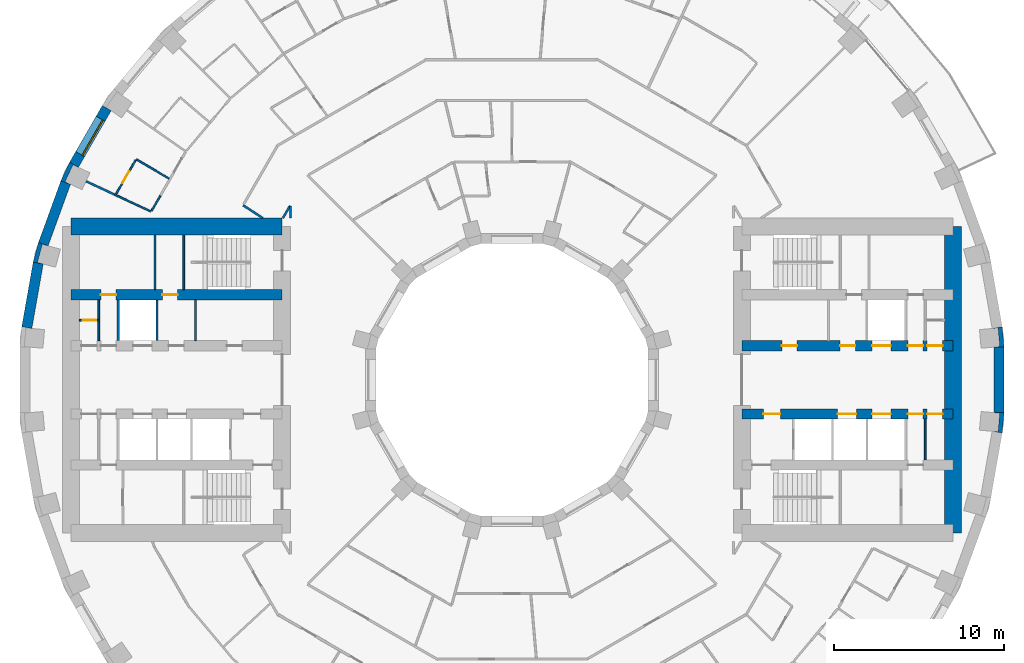
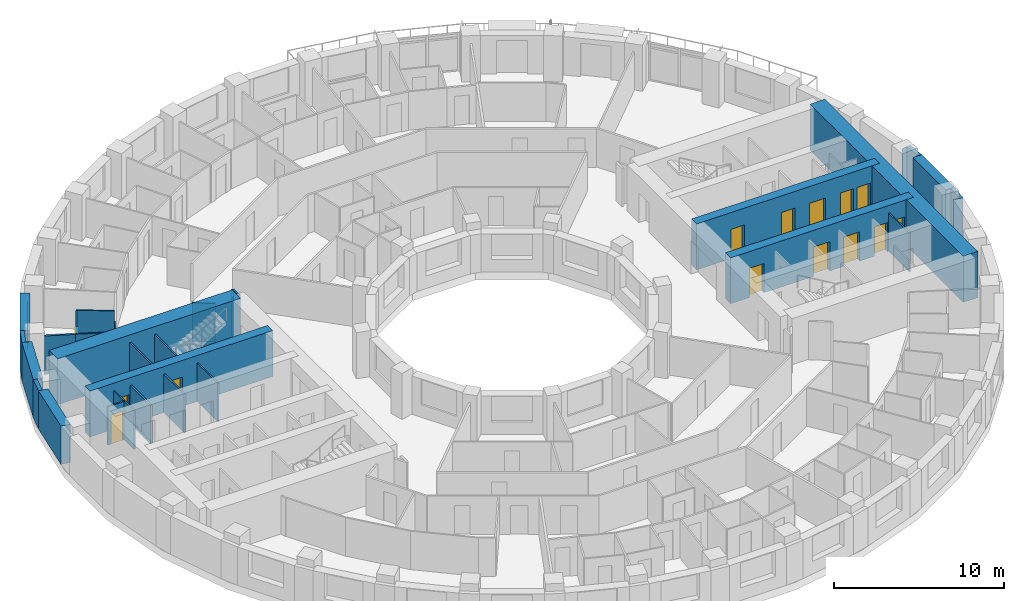
# One storey, part 9 of 15: 29 walls, 14 doors, 1 window, 15 openings.
"""IFC4 building model written with IfcOpenShell, lengths in metres."""

from ifc_helpers import new_model, si_unit, direction, frame, frame_2d, origin, place, context, subcontext, project, spatial, polyline, rectangle, outline, extrude, material, layer, layer_set, type_object, element, fill, save


model = new_model("IFC4")

# Units and contexts
model_context = context("Model", 3, precision=1e-05, world=origin(), true_north=direction((0.0, 1.0)))
body_context = subcontext(model_context, "Body", "Model", "MODEL_VIEW")
ifc_project = project(units=[si_unit("LENGTHUNIT", "METRE"), si_unit("AREAUNIT", "SQUARE_METRE"), si_unit("VOLUMEUNIT", "CUBIC_METRE"), si_unit("PLANEANGLEUNIT", "RADIAN"), si_unit("MASSUNIT", "GRAM", prefix="KILO")], contexts=[model_context])

# Site, building, storey
site_placement = place(None, origin())
site = spatial("IfcSite", under=ifc_project, at=site_placement, CompositionType="ELEMENT")
building_placement = place(site_placement, origin())
building = spatial("IfcBuilding", under=site, at=building_placement, Name="Saqina Gate Tower", CompositionType="ELEMENT")
storey_placement = place(building_placement, frame((0.0, 0.0, 65.89990234375)))
storey = spatial("IfcBuildingStorey", under=building, at=storey_placement, Name="L18", CompositionType="ELEMENT", Elevation=65.89990234375)

# Walls
ifc_material_1 = material(Name="Brick masonry (red)", Category="masonry")
wall_type_1 = type_object("IfcWallType", Name="BRICK PIER COPING RED", PredefinedType="SOLIDWALL", material=ifc_material_1)
wall_1_placement = place(storey_placement, origin())
element("IfcWall", 1, at=wall_1_placement, inside=storey, type_object=wall_type_1, Name="Pier cap L18 column 1", PredefinedType="SOLIDWALL", context=body_context, shape_type="SweptSolid", body=[
    extrude(outline(polyline([(28.8896484375, 1.9228515625), (28.78466796875, 3.122802734375), (28.19384765625, 3.018798828125), (28.54296875, 3.04931640625), (28.638671875, 1.95361328125), (28.28955078125, 1.9228515625), (28.8896484375, 1.9228515625)])), origin(), (0.0, 0.0, 1.0), 2.75),
])
wall_2_placement = place(storey_placement, origin())
element("IfcWall", 2, at=wall_2_placement, inside=storey, type_object=wall_type_1, Name="Pier cap L18 column 16", PredefinedType="SOLIDWALL", context=body_context, shape_type="SweptSolid", body=[
    extrude(outline(polyline([(-26.48974609375, 11.687744140625), (-25.92578125, 11.482666015625), (-26.243408203125, 11.630615234375), (-25.778564453125, 12.627685546875), (-25.4609375, 12.4794921875), (-25.980712890625, 12.779541015625), (-26.48974609375, 11.687744140625)])), origin(), (0.0, 0.0, 1.0), 2.75),
])
wall_3_placement = place(storey_placement, origin())
element("IfcWall", 3, at=wall_3_placement, inside=storey, type_object=wall_type_1, Name="Pier cap L18 column 17", PredefinedType="SOLIDWALL", context=body_context, shape_type="SweptSolid", body=[
    extrude(outline(polyline([(-28.11669921875, 6.910400390625), (-27.52587890625, 6.80615234375), (-27.864501953125, 6.896728515625), (-27.57958984375, 7.95947265625), (-27.2412109375, 7.86865234375), (-27.80517578125, 8.073974609375), (-28.11669921875, 6.910400390625)])), origin(), (0.0, 0.0, 1.0), 2.75),
])
wall_4_placement = place(storey_placement, origin())
element("IfcWall", 4, at=wall_4_placement, inside=storey, type_object=wall_type_1, Name="Pier cap L18 column 36", PredefinedType="SOLIDWALL", context=body_context, shape_type="SweptSolid", body=[
    extrude(outline(polyline([(28.78466796875, -3.122802734375), (28.8896484375, -1.9228515625), (28.28955078125, -1.9228515625), (28.638671875, -1.95361328125), (28.54296875, -3.04931640625), (28.19384765625, -3.018798828125), (28.78466796875, -3.122802734375)])), origin(), (0.0, 0.0, 1.0), 2.75),
])
ifc_material_2 = material(Name="Gypsum board on steel studs", Category="steel")
ifc_layer_1 = layer(ifc_material_2, 0.10009765625)
ifc_layer_set_1 = layer_set([ifc_layer_1], Name="CORE PARTITION")
wall_type_2 = type_object("IfcWallType", Name="CORE PARTITION", PredefinedType="PARTITIONING", material=ifc_layer_set_1)
for number, where, z_axis, x_axis, name in (
    (5, (24.260009765625, -4.699951171875, 0.0), (0.0, 0.0, 1.0), (0.0, 1.0, 0.0), "L18-CP-E09"),
    (6, (-18.582763671875, 2.300048828125, 0.0), (0.0, 0.0, 1.0), (0.0, 1.0, 0.0), "L18-CP-W01"),
    (7, (-24.260009765625, 2.300048828125, 0.0), (0.0, 0.0, 1.0), (0.0, 1.0, 0.0), "L18-CP-W04"),
):
    element("IfcWall", number, at=place(storey_placement, frame(where, z_axis=z_axis, x_axis=x_axis)), inside=storey, type_object=wall_type_2, Name=name, PredefinedType="PARTITIONING", context=body_context, shape_type="SweptSolid", body=[
        extrude(rectangle(XDim=2.39990234375, YDim=0.10009765625, at=frame_2d((1.199951171875, 0.0))), origin(), (0.0, 0.0, 1.0), 2.75),
    ])

# Wall, opening, door
wall_5_placement = place(storey_placement, frame((-24.260009765625, 3.5, 0.0), z_axis=(0.0, 0.0, 1.0), x_axis=(-1.0, 0.0, 0.0)))
wall_5 = element("IfcWall", 8, at=wall_5_placement, inside=storey, type_object=wall_type_2, Name="L18-CP-W10", PredefinedType="PARTITIONING", context=body_context, shape_type="SweptSolid", body=[
    extrude(rectangle(XDim=1.139892578125, YDim=0.10009765625, at=frame_2d((0.56982421875, 0.0))), origin(), (0.0, 0.0, 1.0), 2.75),
])
opening_1_placement = place(wall_5_placement, frame((0.14990234375, 0.0, 0.0)))
opening_1 = element("IfcOpeningElement", 9, at=opening_1_placement, cuts=wall_5, Name="Opening G05-D113", PredefinedType="OPENING", context=body_context, shape_type="SweptSolid", body=[
    extrude(rectangle(XDim=0.800048828125, YDim=2.10009765625, at=frame_2d((0.39990234375, 1.050048828125))), frame((0.0, 0.06201171875, 0.0), z_axis=(0.0, -1.0, 0.0), x_axis=(1.0, 0.0, 0.0)), (0.0, 0.0, 1.0), 0.1240234375),
])
ifc_material_3 = material(Name="Steel-framed fire door leaf, EI 60", Category="steel")
door_type_1 = type_object("IfcDoorType", Name="SERVICE ROOM DOOR 800", OperationType="SINGLE_SWING_LEFT", PredefinedType="DOOR", material=ifc_material_3)
door_1_placement = place(opening_1_placement, frame((0.800048828125, 0.0, 0.0), z_axis=(0.0, 0.0, 1.0), x_axis=(-1.0, 0.0, 0.0)))
door_1 = element("IfcDoor", 10, at=door_1_placement, inside=storey, type_object=door_type_1, Name="L18-CD-W24", OperationType="SINGLE_SWING_LEFT", OverallHeight=2.10009765625, OverallWidth=0.800048828125, PredefinedType="DOOR", context=body_context, shape_type="SweptSolid", body=[
    extrude(rectangle(XDim=0.800048828125, YDim=2.10009765625, at=frame_2d((0.39990234375, 1.050048828125))), frame((0.0, 0.02490234375, 0.0), z_axis=(0.0, -1.0, 0.0), x_axis=(1.0, 0.0, 0.0)), (0.0, 0.0, 1.0), 0.050048828125),
])
fill(opening_1, door_1)

# Wall
wall_6_placement = place(storey_placement, frame((-20.961669921875, 5.300048828125, 0.0), z_axis=(0.0, 0.0, 1.0), x_axis=(0.0, 1.0, 0.0)))
element("IfcWall", 11, at=wall_6_placement, inside=storey, type_object=wall_type_2, Name="L18-CP-W12", PredefinedType="PARTITIONING", context=body_context, shape_type="SweptSolid", body=[
    extrude(rectangle(XDim=3.199951171875, YDim=0.10009765625, at=frame_2d((1.60009765625, 0.0))), origin(), (0.0, 0.0, 1.0), 2.75),
])

# Wall, opening, window
ifc_material_4 = material(Name="Brick masonry (red)", Category="masonry")
ifc_layer_2 = layer(ifc_material_4, 0.60009765625)
ifc_layer_set_2 = layer_set([ifc_layer_2], Name="FW-BRICK-RED")
wall_type_3 = type_object("IfcWallType", Name="FW-BRICK-RED", PredefinedType="SOLIDWALL", material=ifc_layer_set_2)
wall_7_placement = place(storey_placement, frame((-23.7978515625, 15.960205078125, 0.0), z_axis=(0.0, 0.0, 1.0), x_axis=(-0.499989888488, -0.86603124159, 0.0)))
wall_7 = element("IfcWall", 12, at=wall_7_placement, inside=storey, type_object=wall_type_3, Name="Facade wall L18 facet 15", PredefinedType="SOLIDWALL", context=body_context, shape_type="SweptSolid", body=[
    extrude(rectangle(XDim=3.845703125, YDim=0.60009765625, at=frame_2d((1.9228515625, 0.0))), origin(), (0.0, 0.0, 1.0), 2.75),
])
opening_2_placement = place(wall_7_placement, frame((0.722900390625, 0.0, 0.89990234375)))
opening_2 = element("IfcOpeningElement", 13, at=opening_2_placement, cuts=wall_7, Name="Opening G05-W09", PredefinedType="OPENING", context=body_context, shape_type="SweptSolid", body=[
    extrude(rectangle(XDim=2.39990234375, YDim=1.800048828125, at=frame_2d((1.199951171875, 0.89990234375))), frame((0.0, 0.31201171875, 0.0), z_axis=(0.0, -1.0, 0.0), x_axis=(1.0, 0.0, 0.0)), (0.0, 0.0, 1.0), 0.6240234375),
])
ifc_material_5 = material(Name="Aluminium glazing", Category="aluminium")
window_type = type_object("IfcWindowType", Name="WN-A", PartitioningType="SINGLE_PANEL", PredefinedType="WINDOW", material=ifc_material_5)
window_placement = place(opening_2_placement, origin())
window = element("IfcWindow", 14, at=window_placement, inside=storey, type_object=window_type, Name="Window L18 facet 15", OverallHeight=1.800048828125, OverallWidth=2.39990234375, PartitioningType="SINGLE_PANEL", PredefinedType="WINDOW", context=body_context, shape_type="SweptSolid", body=[
    extrude(rectangle(XDim=2.39990234375, YDim=1.800048828125, at=frame_2d((1.199951171875, 0.89990234375))), frame((0.0, 0.179931640625, 0.0), z_axis=(0.0, -1.0, 0.0), x_axis=(1.0, 0.0, 0.0)), (0.0, 0.0, 1.0), 0.06005859375),
])
fill(opening_2, window)

# Walls
ifc_material_6 = material(Name="Glazed ceramic tile", Category="ceramic")
ifc_layer_3 = layer(ifc_material_6, 0.60009765625)
ifc_layer_set_3 = layer_set([ifc_layer_3], Name="FW-TILE")
wall_type_4 = type_object("IfcWallType", Name="FW-TILE", PredefinedType="SOLIDWALL", material=ifc_layer_set_3)
wall_8_placement = place(storey_placement, frame((-27.8212890625, 6.858154296875, 0.0), z_axis=(0.0, 0.0, 1.0), x_axis=(-0.173687553279, -0.984800809218, 0.0)))
element("IfcWall", 15, at=wall_8_placement, inside=storey, type_object=wall_type_4, Name="Facade wall L18 facet 17", PredefinedType="SOLIDWALL", context=body_context, shape_type="SweptSolid", body=[
    extrude(rectangle(XDim=3.845703125, YDim=0.60009765625, at=frame_2d((1.9228515625, 0.0))), origin(), (0.0, 0.0, 1.0), 2.75),
])
ifc_material_7 = material(Name="Glazed ceramic tile (dark blue)", Category="ceramic")
ifc_layer_4 = layer(ifc_material_7, 0.60009765625)
ifc_layer_set_4 = layer_set([ifc_layer_4], Name="FW-TILE-CB")
wall_type_5 = type_object("IfcWallType", Name="FW-TILE-CB", PredefinedType="SOLIDWALL", material=ifc_layer_set_4)
wall_9_placement = place(storey_placement, frame((-26.207763671875, 11.585205078125, 0.0), z_axis=(0.0, 0.0, 1.0), x_axis=(-0.342028474173, -0.939689588564, 0.0)))
element("IfcWall", 16, at=wall_9_placement, inside=storey, type_object=wall_type_5, Name="Facade wall L18 facet 16", PredefinedType="SOLIDWALL", context=body_context, shape_type="SweptSolid", body=[
    extrude(rectangle(XDim=3.845947265625, YDim=0.60009765625, at=frame_2d((1.9228515625, 0.0))), origin(), (0.0, 0.0, 1.0), 2.75),
])
wall_10_placement = place(storey_placement, frame((28.589599609375, -1.9228515625, 0.0), z_axis=(0.0, 0.0, 1.0), x_axis=(0.0, 1.0, 0.0)))
element("IfcWall", 17, at=wall_10_placement, inside=storey, type_object=wall_type_5, Name="Facade wall L18 facet 36", PredefinedType="SOLIDWALL", context=body_context, shape_type="SweptSolid", body=[
    extrude(rectangle(XDim=3.845703125, YDim=0.60009765625, at=frame_2d((1.9228515625, 0.0))), origin(), (0.0, 0.0, 1.0), 2.75),
])
ifc_material_8 = material(Name="Gypsum board on steel studs, 100 mm", Category="steel")
ifc_layer_5 = layer(ifc_material_8, 0.10009765625)
ifc_layer_set_5 = layer_set([ifc_layer_5], Name="PARTITION 100")
wall_type_6 = type_object("IfcWallType", Name="PARTITION 100", PredefinedType="PARTITIONING", material=ifc_layer_set_5)
wall_11_placement = place(storey_placement, frame((-22.069091796875, 12.9541015625, 0.0), z_axis=(0.0, 0.0, 1.0), x_axis=(0.862374352329, -0.506271149134, 0.0)))
element("IfcWall", 18, at=wall_11_placement, inside=storey, type_object=wall_type_6, Name="PARTITION PW3-41", PredefinedType="PARTITIONING", context=body_context, shape_type="SweptSolid", body=[
    extrude(rectangle(XDim=2.237060546875, YDim=0.10009765625, at=frame_2d((1.11865234375, 0.0))), origin(), (0.0, 0.0, 1.0), 2.75),
])
wall_12_placement = place(storey_placement, frame((-23.326171875, 10.877197265625, 0.0), z_axis=(0.0, 0.0, 1.0), x_axis=(0.906293839501, -0.42264817104, 0.0)))
element("IfcWall", 19, at=wall_12_placement, inside=storey, type_object=wall_type_6, Name="PARTITION PW3-48", PredefinedType="PARTITIONING", context=body_context, shape_type="SweptSolid", body=[
    extrude(rectangle(XDim=2.309326171875, YDim=0.10009765625, at=frame_2d((1.15478515625, 0.0))), origin(), (0.0, 0.0, 1.0), 2.75),
])
wall_13_placement = place(storey_placement, frame((-21.1630859375, 9.92333984375, 0.0), z_axis=(0.0, 0.0, 1.0), x_axis=(0.499797427156, 0.866142327685, 0.0)))
element("IfcWall", 20, at=wall_13_placement, inside=storey, type_object=wall_type_6, Name="PARTITION PW3-99", PredefinedType="PARTITIONING", context=body_context, shape_type="SweptSolid", body=[
    extrude(rectangle(XDim=1.03369140625, YDim=0.10009765625, at=frame_2d((0.516845703125, 0.0))), origin(), (0.0, 0.0, 1.0), 2.75),
])

# Wall, opening, door
wall_14_placement = place(storey_placement, frame((-23.2548828125, 10.901123046875, 0.0), z_axis=(0.0, 0.0, 1.0), x_axis=(0.500223263977, 0.865896463889, 0.0)))
wall_14 = element("IfcWall", 21, at=wall_14_placement, inside=storey, type_object=wall_type_6, Name="PARTITION PW3-100", PredefinedType="PARTITIONING", context=body_context, shape_type="SweptSolid", body=[
    extrude(rectangle(XDim=2.32080078125, YDim=0.10009765625, at=frame_2d((1.160400390625, 0.0))), origin(), (0.0, 0.0, 1.0), 2.75),
])
opening_3_placement = place(wall_14_placement, frame((0.75927734375, 0.0, 0.0)))
opening_3 = element("IfcOpeningElement", 22, at=opening_3_placement, cuts=wall_14, Name="Opening G05-D35", PredefinedType="OPENING", context=body_context, shape_type="SweptSolid", body=[
    extrude(rectangle(XDim=0.800048828125, YDim=2.10009765625, at=frame_2d((0.39990234375, 1.050048828125))), frame((0.0, 0.06201171875, 0.0), z_axis=(0.0, -1.0, 0.0), x_axis=(1.0, 0.0, 0.0)), (0.0, 0.0, 1.0), 0.1240234375),
])
ifc_material_9 = material(Name="Timber door leaf, 800 mm", Category="wood")
door_type_2 = type_object("IfcDoorType", Name="DOOR 800 TIMBER", OperationType="SINGLE_SWING_LEFT", PredefinedType="DOOR", material=ifc_material_9)
door_2_placement = place(opening_3_placement, origin())
door_2 = element("IfcDoor", 23, at=door_2_placement, inside=storey, type_object=door_type_2, Name="DOOR G05-D35", OperationType="SINGLE_SWING_LEFT", OverallHeight=2.10009765625, OverallWidth=0.800048828125, PredefinedType="DOOR", context=body_context, shape_type="SweptSolid", body=[
    extrude(rectangle(XDim=0.800048828125, YDim=2.10009765625, at=frame_2d((0.39990234375, 1.050048828125))), frame((0.0, 0.02490234375, 0.0), z_axis=(0.0, -1.0, 0.0), x_axis=(1.0, 0.0, 0.0)), (0.0, 0.0, 1.0), 0.050048828125),
])
fill(opening_3, door_2)

# Walls
ifc_material_10 = material(Name="Gypsum board on steel studs, 125 mm, fire rated", Category="steel")
ifc_layer_6 = layer(ifc_material_10, 0.125)
ifc_layer_set_6 = layer_set([ifc_layer_6], Name="PARTITION EI 30 125")
wall_type_7 = type_object("IfcWallType", Name="PARTITION EI 30 125", PredefinedType="PARTITIONING", material=ifc_layer_set_6)
wall_15_placement = place(storey_placement, frame((-15.7890625, 10.2529296875, 0.0), z_axis=(0.0, 0.0, 1.0), x_axis=(0.838830573332, -0.544392569056, 0.0)))
element("IfcWall", 24, at=wall_15_placement, inside=storey, type_object=wall_type_7, Name="PARTITION PW1-07", PredefinedType="PARTITIONING", context=body_context, shape_type="SweptSolid", body=[
    extrude(rectangle(XDim=1.383056640625, YDim=0.125, at=frame_2d((0.69140625, 0.0))), origin(), (0.0, 0.0, 1.0), 2.75),
])
wall_16_placement = place(storey_placement, frame((-25.005126953125, 11.659912109375, 0.0), z_axis=(0.0, 0.0, 1.0), x_axis=(0.906348054162, -0.422531897869, 0.0)))
element("IfcWall", 25, at=wall_16_placement, inside=storey, type_object=wall_type_7, Name="PARTITION PW1-14", PredefinedType="PARTITIONING", context=body_context, shape_type="SweptSolid", body=[
    extrude(rectangle(XDim=1.8525390625, YDim=0.125, at=frame_2d((0.92626953125, 0.0))), origin(), (0.0, 0.0, 1.0), 2.75),
])
wall_17_placement = place(storey_placement, frame((-13.451904296875, 9.5, 0.0), z_axis=(0.0, 0.0, 1.0), x_axis=(0.49991670217, 0.866073490468, 0.0)))
element("IfcWall", 26, at=wall_17_placement, inside=storey, type_object=wall_type_7, Name="PARTITION PW1-49", PredefinedType="PARTITIONING", context=body_context, shape_type="SweptSolid", body=[
    extrude(rectangle(XDim=0.834228515625, YDim=0.125, at=frame_2d((0.4169921875, 0.0))), origin(), (0.0, 0.0, 1.0), 2.75),
])
wall_18_placement = place(storey_placement, frame((-13.0, 9.5, 0.0), z_axis=(0.0, 0.0, 1.0), x_axis=(0.0, 1.0, 0.0)))
element("IfcWall", 27, at=wall_18_placement, inside=storey, type_object=wall_type_7, Name="PARTITION PW1-56", PredefinedType="PARTITIONING", context=body_context, shape_type="SweptSolid", body=[
    extrude(rectangle(XDim=0.720458984375, YDim=0.125, at=frame_2d((0.3603515625, 0.0))), origin(), (0.0, 0.0, 1.0), 2.75),
])
ifc_material_11 = material(Name="Autoclaved aerated concrete block", Category="concrete")
ifc_layer_7 = layer(ifc_material_11, 0.1201171875)
ifc_layer_set_7 = layer_set([ifc_layer_7], Name="SHAFT PARTITION")
wall_type_8 = type_object("IfcWallType", Name="SHAFT PARTITION", PredefinedType="PARTITIONING", material=ifc_layer_set_7)
for number, where, z_axis, x_axis, name in (
    (28, (-20.840087890625, 2.300048828125, 0.0), (0.0, 0.0, 1.0), (0.0, 1.0, 0.0), "L18-CP-W02"),
    (29, (-23.1201171875, 2.300048828125, 0.0), (0.0, 0.0, 1.0), (0.0, 1.0, 0.0), "L18-CP-W03"),
):
    element("IfcWall", number, at=place(storey_placement, frame(where, z_axis=z_axis, x_axis=x_axis)), inside=storey, type_object=wall_type_8, Name=name, PredefinedType="PARTITIONING", context=body_context, shape_type="SweptSolid", body=[
        extrude(rectangle(XDim=2.39990234375, YDim=0.1201171875, at=frame_2d((1.199951171875, 0.0))), origin(), (0.0, 0.0, 1.0), 2.75),
    ])
ifc_material_12 = material(Name="Autoclaved aerated concrete block", Category="concrete")
ifc_layer_8 = layer(ifc_material_12, 0.10009765625)
ifc_layer_set_8 = layer_set([ifc_layer_8], Name="STAIR ENCLOSURE WALL")
wall_type_9 = type_object("IfcWallType", Name="STAIR ENCLOSURE WALL", PredefinedType="PARTITIONING", material=ifc_layer_set_8)
wall_19_placement = place(storey_placement, frame((-19.27001953125, 5.300048828125, 0.0), z_axis=(0.0, 0.0, 1.0), x_axis=(0.0, 1.0, 0.0)))
element("IfcWall", 30, at=wall_19_placement, inside=storey, type_object=wall_type_9, Name="L18-CP-W11", PredefinedType="PARTITIONING", context=body_context, shape_type="SweptSolid", body=[
    extrude(rectangle(XDim=3.199951171875, YDim=0.10009765625, at=frame_2d((1.60009765625, 0.0))), origin(), (0.0, 0.0, 1.0), 2.75),
])

# Wall, openings, doors
ifc_material_13 = material(Name="Concrete C70/85", Category="concrete")
ifc_layer_9 = layer(ifc_material_13, 0.60009765625)
ifc_layer_set_9 = layer_set([ifc_layer_9], Name="Concrete C70/85")
wall_type_10 = type_object("IfcWallType", Name="STR-CORE WALL-A-I", PredefinedType="SHEAR", material=ifc_layer_set_9)
wall_20_placement = place(storey_placement, frame((13.5, 2.0, 0.0), z_axis=(0.0, 0.0, 1.0), x_axis=(1.0, 0.0, 0.0)))
wall_20 = element("IfcWall", 31, at=wall_20_placement, inside=storey, type_object=wall_type_10, Name="CORE WALL L18 E-L1", PredefinedType="SHEAR", context=body_context, shape_type="SweptSolid", body=[
    extrude(rectangle(XDim=12.39990234375, YDim=0.60009765625, at=frame_2d((6.199951171875, 0.0))), origin(), (0.0, 0.0, 1.0), 3.300048828125),
])
opening_4_placement = place(wall_20_placement, frame((7.64990234375, 0.0, 0.0)))
opening_4 = element("IfcOpeningElement", 32, at=opening_4_placement, cuts=wall_20, Name="Opening G05-LD1", PredefinedType="OPENING", context=body_context, shape_type="SweptSolid", body=[
    extrude(rectangle(XDim=1.10009765625, YDim=2.10009765625, at=frame_2d((0.550048828125, 1.050048828125))), frame((0.0, 0.31201171875, 0.0), z_axis=(0.0, -1.0, 0.0), x_axis=(1.0, 0.0, 0.0)), (0.0, 0.0, 1.0), 0.6240234375),
])
opening_5_placement = place(wall_20_placement, frame((2.34130859375, 0.0, 0.0)))
opening_5 = element("IfcOpeningElement", 33, at=opening_5_placement, cuts=wall_20, Name="Opening G05-D90", PredefinedType="OPENING", context=body_context, shape_type="SweptSolid", body=[
    extrude(rectangle(XDim=0.89990234375, YDim=2.10009765625, at=frame_2d((0.449951171875, 1.050048828125))), frame((0.0, 0.31201171875, 0.0), z_axis=(0.0, -1.0, 0.0), x_axis=(1.0, 0.0, 0.0)), (0.0, 0.0, 1.0), 0.6240234375),
])
opening_6_placement = place(wall_20_placement, frame((5.761474609375, 0.0, 0.0)))
opening_6 = element("IfcOpeningElement", 34, at=opening_6_placement, cuts=wall_20, Name="Opening G05-D91", PredefinedType="OPENING", context=body_context, shape_type="SweptSolid", body=[
    extrude(rectangle(XDim=0.89990234375, YDim=2.10009765625, at=frame_2d((0.449951171875, 1.050048828125))), frame((0.0, 0.31201171875, 0.0), z_axis=(0.0, -1.0, 0.0), x_axis=(1.0, 0.0, 0.0)), (0.0, 0.0, 1.0), 0.6240234375),
])
opening_7_placement = place(wall_20_placement, frame((9.739990234375, 0.0, 0.0)))
opening_7 = element("IfcOpeningElement", 35, at=opening_7_placement, cuts=wall_20, Name="Opening G05-D92", PredefinedType="OPENING", context=body_context, shape_type="SweptSolid", body=[
    extrude(rectangle(XDim=0.89990234375, YDim=2.10009765625, at=frame_2d((0.449951171875, 1.050048828125))), frame((0.0, 0.31201171875, 0.0), z_axis=(0.0, -1.0, 0.0), x_axis=(1.0, 0.0, 0.0)), (0.0, 0.0, 1.0), 0.6240234375),
])
opening_8_placement = place(wall_20_placement, frame((10.8798828125, 0.0, 0.0)))
opening_8 = element("IfcOpeningElement", 36, at=opening_8_placement, cuts=wall_20, Name="Opening G05-D93", PredefinedType="OPENING", context=body_context, shape_type="SweptSolid", body=[
    extrude(rectangle(XDim=0.89990234375, YDim=2.10009765625, at=frame_2d((0.449951171875, 1.050048828125))), frame((0.0, 0.31201171875, 0.0), z_axis=(0.0, -1.0, 0.0), x_axis=(1.0, 0.0, 0.0)), (0.0, 0.0, 1.0), 0.6240234375),
])
ifc_material_14 = material(Name="Stainless steel", Category="steel")
door_type_3 = type_object("IfcDoorType", Name="LANDING DOOR", OperationType="DOUBLE_DOOR_SLIDING", PredefinedType="DOOR", material=ifc_material_14)
door_3_placement = place(opening_4_placement, origin())
door_3 = element("IfcDoor", 37, at=door_3_placement, inside=storey, type_object=door_type_3, Name="LANDING DOOR LR1", OperationType="DOUBLE_DOOR_SLIDING", OverallHeight=2.10009765625, OverallWidth=1.10009765625, PredefinedType="DOOR", context=body_context, shape_type="SweptSolid", body=[
    extrude(rectangle(XDim=1.10009765625, YDim=2.10009765625, at=frame_2d((0.550048828125, 1.050048828125))), frame((0.0, 0.02490234375, 0.0), z_axis=(0.0, -1.0, 0.0), x_axis=(1.0, 0.0, 0.0)), (0.0, 0.0, 1.0), 0.050048828125),
])
fill(opening_4, door_3)
ifc_material_15 = material(Name="Steel-framed fire door leaf, EI 60", Category="steel")
door_type_4 = type_object("IfcDoorType", Name="SERVICE ROOM DOOR 900", OperationType="SINGLE_SWING_LEFT", PredefinedType="DOOR", material=ifc_material_15)
door_4_placement = place(opening_5_placement, origin())
door_4 = element("IfcDoor", 38, at=door_4_placement, inside=storey, type_object=door_type_4, Name="L18-CD-E01", OperationType="SINGLE_SWING_LEFT", OverallHeight=2.10009765625, OverallWidth=0.89990234375, PredefinedType="DOOR", context=body_context, shape_type="SweptSolid", body=[
    extrude(rectangle(XDim=0.89990234375, YDim=2.10009765625, at=frame_2d((0.449951171875, 1.050048828125))), frame((0.0, 0.02490234375, 0.0), z_axis=(0.0, -1.0, 0.0), x_axis=(1.0, 0.0, 0.0)), (0.0, 0.0, 1.0), 0.050048828125),
])
fill(opening_5, door_4)
door_5_placement = place(opening_6_placement, origin())
door_5 = element("IfcDoor", 39, at=door_5_placement, inside=storey, type_object=door_type_4, Name="L18-CD-E02", OperationType="SINGLE_SWING_RIGHT", OverallHeight=2.10009765625, OverallWidth=0.89990234375, PredefinedType="DOOR", context=body_context, shape_type="SweptSolid", body=[
    extrude(rectangle(XDim=0.89990234375, YDim=2.10009765625, at=frame_2d((0.449951171875, 1.050048828125))), frame((0.0, 0.02490234375, 0.0), z_axis=(0.0, -1.0, 0.0), x_axis=(1.0, 0.0, 0.0)), (0.0, 0.0, 1.0), 0.050048828125),
])
fill(opening_6, door_5)
door_6_placement = place(opening_7_placement, origin())
door_6 = element("IfcDoor", 40, at=door_6_placement, inside=storey, type_object=door_type_4, Name="L18-CD-E03", OperationType="SINGLE_SWING_LEFT", OverallHeight=2.10009765625, OverallWidth=0.89990234375, PredefinedType="DOOR", context=body_context, shape_type="SweptSolid", body=[
    extrude(rectangle(XDim=0.89990234375, YDim=2.10009765625, at=frame_2d((0.449951171875, 1.050048828125))), frame((0.0, 0.02490234375, 0.0), z_axis=(0.0, -1.0, 0.0), x_axis=(1.0, 0.0, 0.0)), (0.0, 0.0, 1.0), 0.050048828125),
])
fill(opening_7, door_6)
door_7_placement = place(opening_8_placement, origin())
door_7 = element("IfcDoor", 41, at=door_7_placement, inside=storey, type_object=door_type_4, Name="L18-CD-E04", OperationType="SINGLE_SWING_RIGHT", OverallHeight=2.10009765625, OverallWidth=0.89990234375, PredefinedType="DOOR", context=body_context, shape_type="SweptSolid", body=[
    extrude(rectangle(XDim=0.89990234375, YDim=2.10009765625, at=frame_2d((0.449951171875, 1.050048828125))), frame((0.0, 0.02490234375, 0.0), z_axis=(0.0, -1.0, 0.0), x_axis=(1.0, 0.0, 0.0)), (0.0, 0.0, 1.0), 0.050048828125),
])
fill(opening_8, door_7)

wall_21_placement = place(storey_placement, frame((13.5, -2.0, 0.0), z_axis=(0.0, 0.0, 1.0), x_axis=(1.0, 0.0, 0.0)))
wall_21 = element("IfcWall", 42, at=wall_21_placement, inside=storey, type_object=wall_type_10, Name="CORE WALL L18 E-L2", PredefinedType="SHEAR", context=body_context, shape_type="SweptSolid", body=[
    extrude(rectangle(XDim=12.39990234375, YDim=0.60009765625, at=frame_2d((6.199951171875, 0.0))), origin(), (0.0, 0.0, 1.0), 3.300048828125),
])
opening_9_placement = place(wall_21_placement, frame((5.6201171875, 0.0, 0.0)))
opening_9 = element("IfcOpeningElement", 43, at=opening_9_placement, cuts=wall_21, Name="Opening G05-LD3", PredefinedType="OPENING", context=body_context, shape_type="SweptSolid", body=[
    extrude(rectangle(XDim=1.10009765625, YDim=2.10009765625, at=frame_2d((0.550048828125, 1.050048828125))), frame((0.0, 0.31201171875, 0.0), z_axis=(0.0, -1.0, 0.0), x_axis=(1.0, 0.0, 0.0)), (0.0, 0.0, 1.0), 0.6240234375),
])
opening_10_placement = place(wall_21_placement, frame((7.64990234375, 0.0, 0.0)))
opening_10 = element("IfcOpeningElement", 44, at=opening_10_placement, cuts=wall_21, Name="Opening G05-LD4", PredefinedType="OPENING", context=body_context, shape_type="SweptSolid", body=[
    extrude(rectangle(XDim=1.10009765625, YDim=2.10009765625, at=frame_2d((0.550048828125, 1.050048828125))), frame((0.0, 0.31201171875, 0.0), z_axis=(0.0, -1.0, 0.0), x_axis=(1.0, 0.0, 0.0)), (0.0, 0.0, 1.0), 0.6240234375),
])
opening_11_placement = place(wall_21_placement, frame((1.264892578125, 0.0, 0.0)))
opening_11 = element("IfcOpeningElement", 45, at=opening_11_placement, cuts=wall_21, Name="Opening G05-D94", PredefinedType="OPENING", context=body_context, shape_type="SweptSolid", body=[
    extrude(rectangle(XDim=1.0, YDim=2.10009765625, at=frame_2d((0.5, 1.050048828125))), frame((0.0, 0.31201171875, 0.0), z_axis=(0.0, -1.0, 0.0), x_axis=(1.0, 0.0, 0.0)), (0.0, 0.0, 1.0), 0.6240234375),
])
opening_12_placement = place(wall_21_placement, frame((9.739990234375, 0.0, 0.0)))
opening_12 = element("IfcOpeningElement", 46, at=opening_12_placement, cuts=wall_21, Name="Opening G05-D95", PredefinedType="OPENING", context=body_context, shape_type="SweptSolid", body=[
    extrude(rectangle(XDim=0.89990234375, YDim=2.10009765625, at=frame_2d((0.449951171875, 1.050048828125))), frame((0.0, 0.31201171875, 0.0), z_axis=(0.0, -1.0, 0.0), x_axis=(1.0, 0.0, 0.0)), (0.0, 0.0, 1.0), 0.6240234375),
])
opening_13_placement = place(wall_21_placement, frame((10.8798828125, 0.0, 0.0)))
opening_13 = element("IfcOpeningElement", 47, at=opening_13_placement, cuts=wall_21, Name="Opening G05-D96", PredefinedType="OPENING", context=body_context, shape_type="SweptSolid", body=[
    extrude(rectangle(XDim=0.89990234375, YDim=2.10009765625, at=frame_2d((0.449951171875, 1.050048828125))), frame((0.0, 0.31201171875, 0.0), z_axis=(0.0, -1.0, 0.0), x_axis=(1.0, 0.0, 0.0)), (0.0, 0.0, 1.0), 0.6240234375),
])
ifc_material_16 = material(Name="Steel", Category="steel")
door_type_5 = type_object("IfcDoorType", Name="FIRE LOBBY DOOR EI 60", OperationType="SINGLE_SWING_LEFT", PredefinedType="DOOR", material=ifc_material_16)
door_8_placement = place(opening_11_placement, origin())
door_8 = element("IfcDoor", 48, at=door_8_placement, inside=storey, type_object=door_type_5, Name="L18-CD-E05", OperationType="SINGLE_SWING_LEFT", OverallHeight=2.10009765625, OverallWidth=1.0, PredefinedType="DOOR", context=body_context, shape_type="SweptSolid", body=[
    extrude(rectangle(XDim=1.0, YDim=2.10009765625, at=frame_2d((0.5, 1.050048828125))), frame((0.0, 0.02490234375, 0.0), z_axis=(0.0, -1.0, 0.0), x_axis=(1.0, 0.0, 0.0)), (0.0, 0.0, 1.0), 0.050048828125),
])
fill(opening_11, door_8)
door_9_placement = place(opening_9_placement, origin())
door_9 = element("IfcDoor", 49, at=door_9_placement, inside=storey, type_object=door_type_3, Name="LANDING DOOR LR3", OperationType="DOUBLE_DOOR_SLIDING", OverallHeight=2.10009765625, OverallWidth=1.10009765625, PredefinedType="DOOR", context=body_context, shape_type="SweptSolid", body=[
    extrude(rectangle(XDim=1.10009765625, YDim=2.10009765625, at=frame_2d((0.550048828125, 1.050048828125))), frame((0.0, 0.02490234375, 0.0), z_axis=(0.0, -1.0, 0.0), x_axis=(1.0, 0.0, 0.0)), (0.0, 0.0, 1.0), 0.050048828125),
])
fill(opening_9, door_9)
door_10_placement = place(opening_10_placement, origin())
door_10 = element("IfcDoor", 50, at=door_10_placement, inside=storey, type_object=door_type_3, Name="LANDING DOOR LR2", OperationType="DOUBLE_DOOR_SLIDING", OverallHeight=2.10009765625, OverallWidth=1.10009765625, PredefinedType="DOOR", context=body_context, shape_type="SweptSolid", body=[
    extrude(rectangle(XDim=1.10009765625, YDim=2.10009765625, at=frame_2d((0.550048828125, 1.050048828125))), frame((0.0, 0.02490234375, 0.0), z_axis=(0.0, -1.0, 0.0), x_axis=(1.0, 0.0, 0.0)), (0.0, 0.0, 1.0), 0.050048828125),
])
fill(opening_10, door_10)
door_11_placement = place(opening_12_placement, frame((0.89990234375, 0.0, 0.0), z_axis=(0.0, 0.0, 1.0), x_axis=(-1.0, 0.0, 0.0)))
door_11 = element("IfcDoor", 51, at=door_11_placement, inside=storey, type_object=door_type_4, Name="L18-CD-E06", OperationType="SINGLE_SWING_RIGHT", OverallHeight=2.10009765625, OverallWidth=0.89990234375, PredefinedType="DOOR", context=body_context, shape_type="SweptSolid", body=[
    extrude(rectangle(XDim=0.89990234375, YDim=2.10009765625, at=frame_2d((0.449951171875, 1.050048828125))), frame((0.0, 0.02490234375, 0.0), z_axis=(0.0, -1.0, 0.0), x_axis=(1.0, 0.0, 0.0)), (0.0, 0.0, 1.0), 0.050048828125),
])
fill(opening_12, door_11)
door_12_placement = place(opening_13_placement, frame((0.89990234375, 0.0, 0.0), z_axis=(0.0, 0.0, 1.0), x_axis=(-1.0, 0.0, 0.0)))
door_12 = element("IfcDoor", 52, at=door_12_placement, inside=storey, type_object=door_type_4, Name="L18-CD-E07", OperationType="SINGLE_SWING_LEFT", OverallHeight=2.10009765625, OverallWidth=0.89990234375, PredefinedType="DOOR", context=body_context, shape_type="SweptSolid", body=[
    extrude(rectangle(XDim=0.89990234375, YDim=2.10009765625, at=frame_2d((0.449951171875, 1.050048828125))), frame((0.0, 0.02490234375, 0.0), z_axis=(0.0, -1.0, 0.0), x_axis=(1.0, 0.0, 0.0)), (0.0, 0.0, 1.0), 0.050048828125),
])
fill(opening_13, door_12)

wall_22_placement = place(storey_placement, frame((-13.5, 5.0, 0.0), z_axis=(0.0, 0.0, 1.0), x_axis=(-1.0, 0.0, 0.0)))
wall_22 = element("IfcWall", 53, at=wall_22_placement, inside=storey, type_object=wall_type_10, Name="CORE WALL L18 W-X1", PredefinedType="SHEAR", context=body_context, shape_type="SweptSolid", body=[
    extrude(rectangle(XDim=12.39990234375, YDim=0.60009765625, at=frame_2d((6.199951171875, 0.0))), origin(), (0.0, 0.0, 1.0), 3.300048828125),
])
opening_14_placement = place(wall_22_placement, frame((6.1298828125, 0.0, 0.0)))
opening_14 = element("IfcOpeningElement", 54, at=opening_14_placement, cuts=wall_22, Name="Opening G05-D114", PredefinedType="OPENING", context=body_context, shape_type="SweptSolid", body=[
    extrude(rectangle(XDim=0.89990234375, YDim=2.10009765625, at=frame_2d((0.449951171875, 1.050048828125))), frame((0.0, 0.31201171875, 0.0), z_axis=(0.0, -1.0, 0.0), x_axis=(1.0, 0.0, 0.0)), (0.0, 0.0, 1.0), 0.6240234375),
])
opening_15_placement = place(wall_22_placement, frame((9.739990234375, 0.0, 0.0)))
opening_15 = element("IfcOpeningElement", 55, at=opening_15_placement, cuts=wall_22, Name="Opening G05-D115", PredefinedType="OPENING", context=body_context, shape_type="SweptSolid", body=[
    extrude(rectangle(XDim=0.89990234375, YDim=2.10009765625, at=frame_2d((0.449951171875, 1.050048828125))), frame((0.0, 0.31201171875, 0.0), z_axis=(0.0, -1.0, 0.0), x_axis=(1.0, 0.0, 0.0)), (0.0, 0.0, 1.0), 0.6240234375),
])
door_13_placement = place(opening_14_placement, origin())
door_13 = element("IfcDoor", 56, at=door_13_placement, inside=storey, type_object=door_type_4, Name="L18-CD-W25", OperationType="SINGLE_SWING_RIGHT", OverallHeight=2.10009765625, OverallWidth=0.89990234375, PredefinedType="DOOR", context=body_context, shape_type="SweptSolid", body=[
    extrude(rectangle(XDim=0.89990234375, YDim=2.10009765625, at=frame_2d((0.449951171875, 1.050048828125))), frame((0.0, 0.02490234375, 0.0), z_axis=(0.0, -1.0, 0.0), x_axis=(1.0, 0.0, 0.0)), (0.0, 0.0, 1.0), 0.050048828125),
])
fill(opening_14, door_13)
door_14_placement = place(opening_15_placement, frame((0.89990234375, 0.0, 0.0), z_axis=(0.0, 0.0, 1.0), x_axis=(-1.0, 0.0, 0.0)))
door_14 = element("IfcDoor", 57, at=door_14_placement, inside=storey, type_object=door_type_4, Name="L18-CD-W26", OperationType="SINGLE_SWING_LEFT", OverallHeight=2.10009765625, OverallWidth=0.89990234375, PredefinedType="DOOR", context=body_context, shape_type="SweptSolid", body=[
    extrude(rectangle(XDim=0.89990234375, YDim=2.10009765625, at=frame_2d((0.449951171875, 1.050048828125))), frame((0.0, 0.02490234375, 0.0), z_axis=(0.0, -1.0, 0.0), x_axis=(1.0, 0.0, 0.0)), (0.0, 0.0, 1.0), 0.050048828125),
])
fill(opening_15, door_14)

# Walls
ifc_material_17 = material(Name="Concrete C70/85", Category="concrete")
ifc_layer_10 = layer(ifc_material_17, 1.0)
ifc_layer_set_10 = layer_set([ifc_layer_10], Name="Concrete C70/85")
wall_type_11 = type_object("IfcWallType", Name="STR-CORE WALL-A-O", PredefinedType="SHEAR", material=ifc_layer_set_10)
wall_23_placement = place(storey_placement, frame((25.89990234375, -9.0, 0.0), z_axis=(0.0, 0.0, 1.0), x_axis=(0.0, 1.0, 0.0)))
element("IfcWall", 58, at=wall_23_placement, inside=storey, type_object=wall_type_11, Name="CORE WALL L18 E-W2", PredefinedType="SHEAR", context=body_context, shape_type="SweptSolid", body=[
    extrude(rectangle(XDim=18.0, YDim=1.0, at=frame_2d((9.0, 0.0))), origin(), (0.0, 0.0, 1.0), 3.300048828125),
])
wall_24_placement = place(storey_placement, frame((-13.5, 9.0, 0.0), z_axis=(0.0, 0.0, 1.0), x_axis=(-1.0, 0.0, 0.0)))
element("IfcWall", 59, at=wall_24_placement, inside=storey, type_object=wall_type_11, Name="CORE WALL L18 W-NE", PredefinedType="SHEAR", context=body_context, shape_type="SweptSolid", body=[
    extrude(rectangle(XDim=12.39990234375, YDim=1.0, at=frame_2d((6.199951171875, 0.0))), origin(), (0.0, 0.0, 1.0), 3.300048828125),
])

save(model, "model.ifc")
